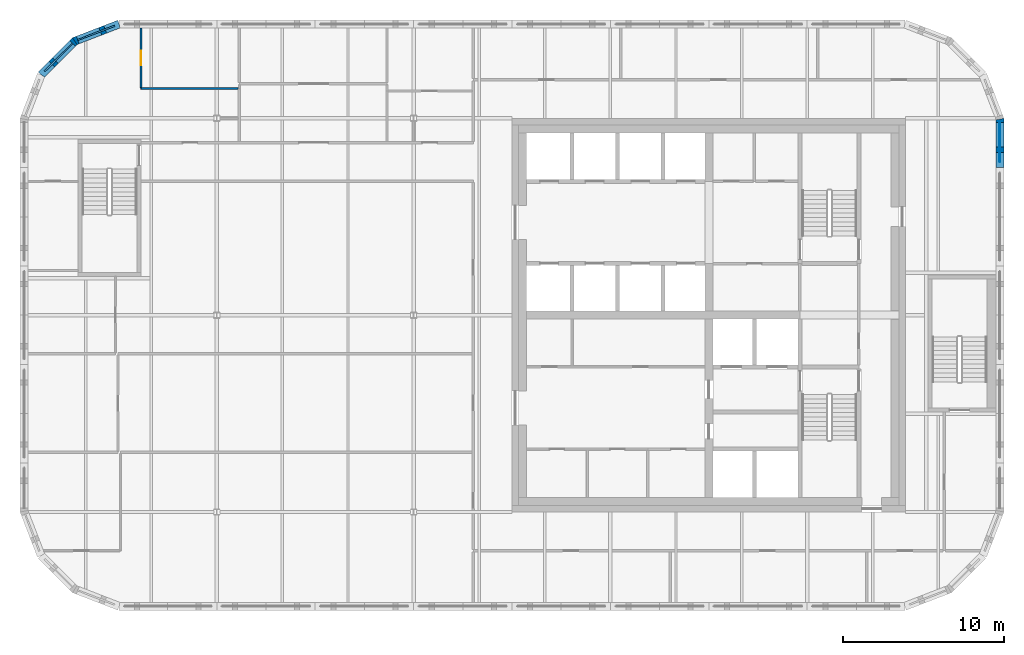
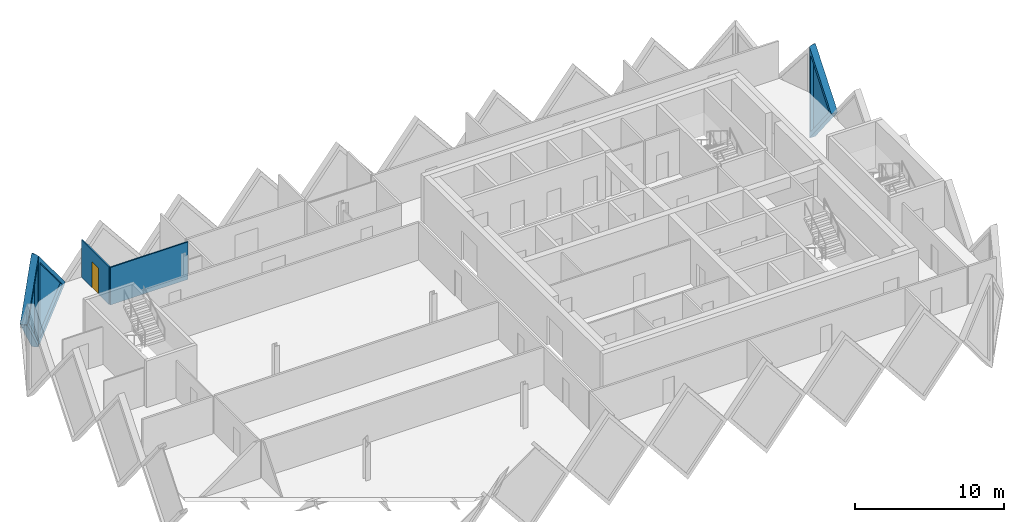
# One storey, part 8 of 11: 5 walls, 3 plates, 1 door, 4 openings.
"""IFC4 building model written with IfcOpenShell, lengths in metres."""

from ifc_helpers import new_model, si_unit, direction, frame, frame_2d, origin, place, context, subcontext, project, spatial, polyline, rectangle, outline, extrude, faceted_brep, source, transform, mapped, material, layer, layer_set, type_object, element, fill, save


model = new_model("IFC4")

# Units and contexts
model_context = context("Model", 3, precision=1e-05, world=origin(), true_north=direction((0.0, 1.0)))
body_context = subcontext(model_context, "Body", "Model", "MODEL_VIEW")
ifc_project = project(units=[si_unit("LENGTHUNIT", "METRE"), si_unit("AREAUNIT", "SQUARE_METRE"), si_unit("VOLUMEUNIT", "CUBIC_METRE"), si_unit("PLANEANGLEUNIT", "RADIAN"), si_unit("MASSUNIT", "GRAM", prefix="KILO")], contexts=[model_context])

# Site, building, storey
site_placement = place(None, origin())
site = spatial("IfcSite", under=ifc_project, at=site_placement, CompositionType="ELEMENT")
building_placement = place(site_placement, origin())
building = spatial("IfcBuilding", under=site, at=building_placement, Name="Tessera Gate Towers", CompositionType="ELEMENT")
storey_placement = place(building_placement, frame((0.0, 0.0, 240.699951171875)))
storey = spatial("IfcBuildingStorey", under=building, at=storey_placement, Name="L60", CompositionType="ELEMENT", Elevation=240.699951171875)

# Wall
ifc_material_1 = material(Name="Glass", Category="glass")
ifc_layer_1 = layer(ifc_material_1, 0.10009765625)
ifc_layer_set_1 = layer_set([ifc_layer_1], Name="GLAZED PARTITION 100")
wall_type_1 = type_object("IfcWallType", Name="GLAZED PARTITION 100", PredefinedType="PARTITIONING", material=ifc_layer_set_1)
wall_1_placement = place(storey_placement, frame((7.5, 50.64990234375, 0.0), z_axis=(0.0, 0.0, 1.0), x_axis=(1.0, 0.0, 0.0)))
element("IfcWall", 1, at=wall_1_placement, inside=storey, type_object=wall_type_1, Name="T1-L60-PW-027", PredefinedType="PARTITIONING", context=body_context, shape_type="SweptSolid", body=[
    extrude(rectangle(XDim=6.02392578125, YDim=0.10009765625, at=frame_2d((3.011962890625, 0.0))), origin(), (0.0, 0.0, 1.0), 3.067138671875),
])

# Wall, opening, door
wall_2_placement = place(storey_placement, frame((7.5, 54.39990234375, 0.0), z_axis=(0.0, 0.0, 1.0), x_axis=(0.0, -1.0, 0.0)))
wall_2 = element("IfcWall", 2, at=wall_2_placement, inside=storey, type_object=wall_type_1, Name="T1-L60-PW-029", PredefinedType="PARTITIONING", context=body_context, shape_type="SweptSolid", body=[
    extrude(rectangle(XDim=3.698974609375, YDim=0.10009765625, at=frame_2d((1.849609375, 0.0))), origin(), (0.0, 0.0, 1.0), 3.067138671875),
])
shared_shape_1 = source(origin(), body_context, "Body", "SweptSolid", [
    extrude(rectangle(XDim=0.89990234375, YDim=2.10009765625, at=frame_2d((0.449951171875, 1.050048828125))), frame((0.0, 0.06005859375, 0.0), z_axis=(0.0, -1.0, 0.0), x_axis=(1.0, 0.0, 0.0)), (0.0, 0.0, 1.0), 0.1201171875),
])
opening_1_placement = place(wall_2_placement, frame((1.39892578125, 0.0, 0.0)))
opening_1 = element("IfcOpeningElement", 3, at=opening_1_placement, cuts=wall_2, Name="Opening D690-A21-05", PredefinedType="OPENING", context=body_context, shape_type="MappedRepresentation", body=[
    mapped(shared_shape_1, transform((0.0, 0.0, 0.0), scale=1.0)),
])
ifc_material_2 = material(Name="Glass in aluminium frame", Category="aluminium")
door_type = type_object("IfcDoorType", Name="GLAZED DOOR 900 NOT RATED", OperationType="NOTDEFINED", PredefinedType="DOOR", material=ifc_material_2)
shared_shape_2 = source(origin(), body_context, "Body", "SweptSolid", [
    extrude(rectangle(XDim=0.89990234375, YDim=2.10009765625, at=frame_2d((0.449951171875, 1.050048828125))), frame((0.0, 0.02490234375, 0.0), z_axis=(0.0, -1.0, 0.0), x_axis=(1.0, 0.0, 0.0)), (0.0, 0.0, 1.0), 0.050048828125),
])
door_placement = place(opening_1_placement, origin())
door = element("IfcDoor", 4, at=door_placement, inside=storey, type_object=door_type, Name="T1-L60-PD-014", OperationType="SINGLE_SWING_RIGHT", OverallHeight=2.10009765625, OverallWidth=0.89990234375, PredefinedType="DOOR", context=body_context, shape_type="MappedRepresentation", body=[
    mapped(shared_shape_2, transform((0.0, 0.0, 0.0), scale=1.0)),
])
fill(opening_1, door)

# Wall, opening, plate
ifc_material_3 = material(Name="Precast concrete C60/75 white", Category="concrete")
ifc_layer_2 = layer(ifc_material_3, 0.5)
ifc_layer_set_2 = layer_set([ifc_layer_2], Name="TS3 corner tessera")
wall_type_2 = type_object("IfcWallType", Name="TS3 corner tessera", PredefinedType="SOLIDWALL", material=ifc_layer_set_2)
shared_shape_3 = source(origin(), body_context, "Body", "Brep", [
    faceted_brep([(3.00341796875, -0.25, 0.0), (3.050048828125, -0.25, 0.06005859375), (3.050048828125, -0.25, 7.5400390625), (3.00341796875, -0.25, 7.60009765625), (0.0, -0.25, 3.800048828125), (0.0, 0.25, 3.800048828125), (2.956787109375, 0.25, 7.541259765625), (2.956787109375, 0.25, 0.058837890625), (3.00341796875, 0.000244140625, 0.0), (3.00341796875, 0.000244140625, 7.60009765625)], [[[0, 1, 2, 3, 4]], [[5, 6, 7]], [[1, 0, 8]], [[9, 3, 2]], [[6, 5, 4, 3, 9]], [[5, 7, 8, 0, 4]], [[1, 8, 7, 6, 9, 2]]]),
])
wall_3_placement = place(storey_placement, frame((60.75, 45.75, -3.800048828125), z_axis=(0.0, 0.0, 1.0), x_axis=(0.0, 1.0, 0.0)))
wall_3 = element("IfcWall", 5, at=wall_3_placement, inside=storey, type_object=wall_type_2, Name="Precast corner tessera T1 TS3-1389", PredefinedType="SOLIDWALL", context=body_context, shape_type="MappedRepresentation", body=[
    mapped(shared_shape_3, transform((0.0, 0.0, 0.0), scale=1.0)),
])
shared_shape_4 = source(origin(), body_context, "Body", "SweptSolid", [
    extrude(outline(polyline([(2.803466796875, 6.94384765625), (0.318603515625, 3.800048828125), (2.803466796875, 0.65625), (2.803466796875, 6.94384765625)])), frame((0.0, 0.260009765625, 0.0), z_axis=(0.0, -1.0, 0.0), x_axis=(1.0, 0.0, 0.0)), (0.0, 0.0, 1.0), 0.52001953125),
])
opening_2_placement = place(wall_3_placement, origin())
opening_2 = element("IfcOpeningElement", 6, at=opening_2_placement, cuts=wall_3, Name="Opening T1-PL2-2134", PredefinedType="OPENING", context=body_context, shape_type="MappedRepresentation", body=[
    mapped(shared_shape_4, transform((0.0, 0.0, 0.0), scale=1.0)),
])
ifc_material_4 = material(Name="Low-e laminated glass", Category="glass")
ifc_layer_3 = layer(ifc_material_4, 0.06005859375)
ifc_layer_set_3 = layer_set([ifc_layer_3], Name="PL2 rhombic pane")
plate_type = type_object("IfcPlateType", Name="PL2 rhombic pane", PredefinedType="SHEET", material=ifc_layer_set_3)
shared_shape_5 = source(origin(), body_context, "Body", "SweptSolid", [
    extrude(outline(polyline([(2.803466796875, 6.94384765625), (0.318603515625, 3.800048828125), (2.803466796875, 0.65625), (2.803466796875, 6.94384765625)])), frame((0.0, 0.030029296875, 0.0), z_axis=(0.0, -1.0, 0.0), x_axis=(1.0, 0.0, 0.0)), (0.0, 0.0, 1.0), 0.06005859375),
])
plate_1_placement = place(opening_2_placement, origin())
plate_1 = element("IfcPlate", 7, at=plate_1_placement, inside=storey, type_object=plate_type, Name="Glass pane T1 PL2-2134", PredefinedType="SHEET", context=body_context, shape_type="MappedRepresentation", body=[
    mapped(shared_shape_5, transform((0.0, 0.0, 0.0), scale=1.0)),
])
fill(opening_2, plate_1)

shared_shape_6 = source(origin(), body_context, "Body", "Brep", [
    faceted_brep([(2.950439453125, -0.25, 0.0), (3.00341796875, -0.25, 0.068359375), (3.00341796875, -0.25, 7.53173828125), (2.950439453125, -0.25, 7.60009765625), (0.0, -0.25, 3.800048828125), (0.046630859375, 0.25, 3.860107421875), (2.897705078125, 0.25, 7.531982421875), (2.897705078125, 0.25, 0.068115234375), (0.046630859375, 0.25, 3.739990234375), (2.950439453125, 0.00048828125, 0.0), (2.950439453125, 0.00048828125, 7.60009765625), (0.0, 0.0, 3.800048828125)], [[[0, 1, 2, 3, 4]], [[5, 6, 7, 8]], [[1, 0, 9]], [[10, 3, 2]], [[6, 5, 11, 4, 3, 10]], [[8, 7, 9, 0, 4, 11]], [[8, 11, 5]], [[1, 9, 7, 6, 10, 2]]]),
])
wall_4_placement = place(storey_placement, frame((6.146484375, 54.64990234375, -3.800048828125), z_axis=(0.0, 0.0, 1.0), x_axis=(-0.932997369089, -0.359883188373, 0.0)))
wall_4 = element("IfcWall", 8, at=wall_4_placement, inside=storey, type_object=wall_type_2, Name="Precast corner tessera T1 TS3-1393", PredefinedType="SOLIDWALL", context=body_context, shape_type="MappedRepresentation", body=[
    mapped(shared_shape_6, transform((0.0, 0.0, 0.0), scale=1.0)),
])
shared_shape_7 = source(origin(), body_context, "Body", "SweptSolid", [
    extrude(outline(polyline([(2.75048828125, 6.934814453125), (0.31640625, 3.800048828125), (2.75048828125, 0.665283203125), (2.75048828125, 6.934814453125)])), frame((0.0, 0.260009765625, 0.0), z_axis=(0.0, -1.0, 0.0), x_axis=(1.0, 0.0, 0.0)), (0.0, 0.0, 1.0), 0.52001953125),
])
opening_3_placement = place(wall_4_placement, origin())
opening_3 = element("IfcOpeningElement", 9, at=opening_3_placement, cuts=wall_4, Name="Opening T1-PL2-2146", PredefinedType="OPENING", context=body_context, shape_type="MappedRepresentation", body=[
    mapped(shared_shape_7, transform((0.0, 0.0, 0.0), scale=1.0)),
])
shared_shape_8 = source(origin(), body_context, "Body", "SweptSolid", [
    extrude(outline(polyline([(2.75048828125, 6.934814453125), (0.31640625, 3.800048828125), (2.75048828125, 0.665283203125), (2.75048828125, 6.934814453125)])), frame((0.0, 0.030029296875, 0.0), z_axis=(0.0, -1.0, 0.0), x_axis=(1.0, 0.0, 0.0)), (0.0, 0.0, 1.0), 0.06005859375),
])
plate_2_placement = place(opening_3_placement, origin())
plate_2 = element("IfcPlate", 10, at=plate_2_placement, inside=storey, type_object=plate_type, Name="Glass pane T1 PL2-2146", PredefinedType="SHEET", context=body_context, shape_type="MappedRepresentation", body=[
    mapped(shared_shape_8, transform((0.0, 0.0, 0.0), scale=1.0)),
])
fill(opening_3, plate_2)

shared_shape_9 = source(origin(), body_context, "Body", "Brep", [
    faceted_brep([(0.052978515625, -0.25, 0.0), (2.9970703125, -0.25, 3.800048828125), (0.052978515625, -0.25, 7.60009765625), (0.0, -0.25, 7.531982421875), (0.0, -0.25, 0.068115234375), (0.10595703125, 0.25, 7.53173828125), (2.944091796875, 0.25, 3.8681640625), (2.944091796875, 0.25, 3.73193359375), (0.10595703125, 0.25, 0.068359375), (2.9970703125, 0.000244140625, 3.800048828125), (0.052978515625, 0.0, 0.0), (0.052978515625, 0.0, 7.60009765625)], [[[0, 1, 2, 3, 4]], [[5, 6, 7, 8]], [[8, 7, 9, 1, 0, 10]], [[6, 5, 11, 2, 1, 9]], [[3, 2, 11]], [[10, 0, 4]], [[8, 10, 4, 3, 11, 5]], [[9, 7, 6]]]),
])
wall_5_placement = place(storey_placement, frame((3.43115234375, 53.62548828125, -3.800048828125), z_axis=(0.0, 0.0, 1.0), x_axis=(-0.707106781187, -0.707106781187, 0.0)))
wall_5 = element("IfcWall", 11, at=wall_5_placement, inside=storey, type_object=wall_type_2, Name="Precast corner tessera T1 TS3-1394", PredefinedType="SOLIDWALL", context=body_context, shape_type="MappedRepresentation", body=[
    mapped(shared_shape_9, transform((0.0, 0.0, 0.0), scale=1.0)),
])
shared_shape_10 = source(origin(), body_context, "Body", "SweptSolid", [
    extrude(outline(polyline([(0.2529296875, 0.66650390625), (2.680908203125, 3.800048828125), (0.2529296875, 6.933837890625), (0.2529296875, 0.66650390625)])), frame((0.0, 0.260009765625, 0.0), z_axis=(0.0, -1.0, 0.0), x_axis=(1.0, 0.0, 0.0)), (0.0, 0.0, 1.0), 0.52001953125),
])
opening_4_placement = place(wall_5_placement, origin())
opening_4 = element("IfcOpeningElement", 12, at=opening_4_placement, cuts=wall_5, Name="Opening T1-PL2-2147", PredefinedType="OPENING", context=body_context, shape_type="MappedRepresentation", body=[
    mapped(shared_shape_10, transform((0.0, 0.0, 0.0), scale=1.0)),
])
shared_shape_11 = source(origin(), body_context, "Body", "SweptSolid", [
    extrude(outline(polyline([(0.2529296875, 0.66650390625), (2.680908203125, 3.800048828125), (0.2529296875, 6.933837890625), (0.2529296875, 0.66650390625)])), frame((0.0, 0.030029296875, 0.0), z_axis=(0.0, -1.0, 0.0), x_axis=(1.0, 0.0, 0.0)), (0.0, 0.0, 1.0), 0.06005859375),
])
plate_3_placement = place(opening_4_placement, origin())
plate_3 = element("IfcPlate", 13, at=plate_3_placement, inside=storey, type_object=plate_type, Name="Glass pane T1 PL2-2147", PredefinedType="SHEET", context=body_context, shape_type="MappedRepresentation", body=[
    mapped(shared_shape_11, transform((0.0, 0.0, 0.0), scale=1.0)),
])
fill(opening_4, plate_3)

save(model, "model.ifc")
